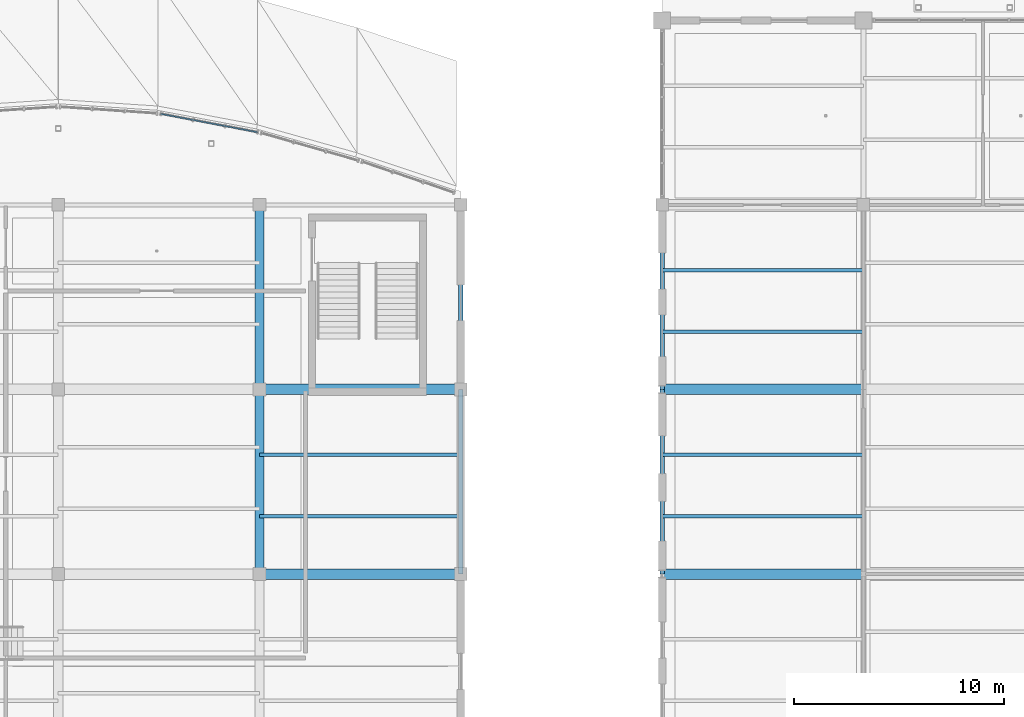
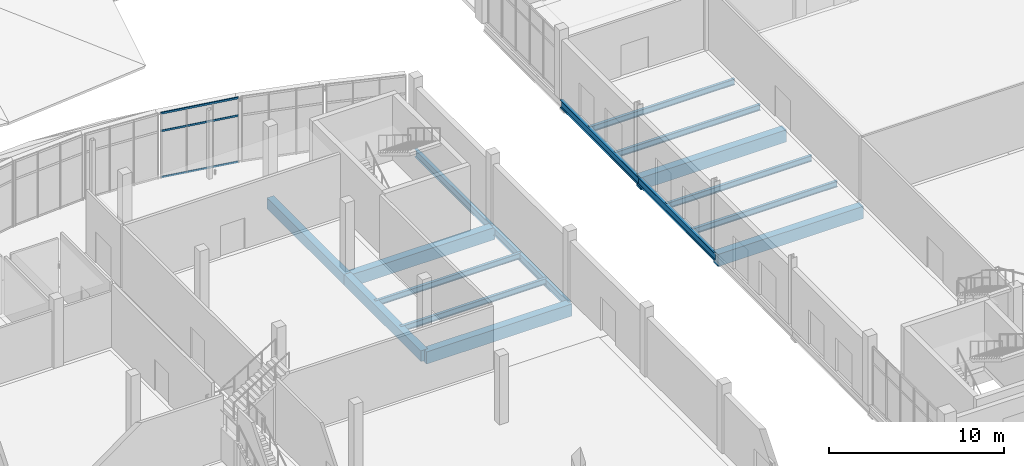
# One storey, part 34 of 116: 16 beams, 3 members, 1 element without a shape of its own.
"""IFC4 building model written with IfcOpenShell, lengths in metres."""

from ifc_helpers import new_model, si_unit, direction, frame, origin, origin_2d, place, context, subcontext, project, spatial, rectangle, hollow_rectangle, i_section, extrude, material, layer, layer_set, material_profile, profile_set, type_object, element, aggregate, save


model = new_model("IFC4")

# Units and contexts
model_context = context("Model", 3, precision=1e-05, world=origin(), true_north=direction((0.0, 1.0)))
body_context = subcontext(model_context, "Body", "Model", "MODEL_VIEW")
ifc_project = project(units=[si_unit("LENGTHUNIT", "METRE"), si_unit("AREAUNIT", "SQUARE_METRE"), si_unit("VOLUMEUNIT", "CUBIC_METRE"), si_unit("PLANEANGLEUNIT", "RADIAN"), si_unit("MASSUNIT", "GRAM", prefix="KILO")], contexts=[model_context])

# Site, building, storey
site_placement = place(None, origin())
site = spatial("IfcSite", under=ifc_project, at=site_placement, CompositionType="ELEMENT")
building_placement = place(site_placement, origin())
building = spatial("IfcBuilding", under=site, at=building_placement, Name="Chalmorin Arch Market", CompositionType="ELEMENT")
storey_placement = place(building_placement, origin())
storey = spatial("IfcBuildingStorey", under=building, at=storey_placement, Name="L00", CompositionType="ELEMENT", Elevation=0.0)

# Beams
ifc_material_1 = material(Name="Concrete C40/50", Category="concrete")
ifc_material_profile_1 = material_profile(ifc_material_1, rectangle(XDim=0.449951171875, YDim=0.75, at=origin_2d()), Name="RC450X750")
ifc_profile_set_1 = profile_set([ifc_material_profile_1], Name="Concrete C40/50")
beam_type_1 = type_object("IfcBeamType", Name="BasementConcreteGirder-450x750", PredefinedType="BEAM", material=ifc_profile_set_1)
for number, where, z_axis, x_axis, name in (
    (1, (28.800048828125, 32.39990234375, -0.72705078125), (0.0, 1.0, 0.0), (-1.0, 0.0, 0.0), "BG-RC2-0236"),
    (2, (28.800048828125, 41.199951171875, -0.72705078125), (0.0, 1.0, 0.0), (-1.0, 0.0, 0.0), "BG-RC2-0238"),
):
    element("IfcBeam", number, at=place(storey_placement, frame(where, z_axis=z_axis, x_axis=x_axis)), inside=storey, type_object=beam_type_1, Name=name, PredefinedType="BEAM", context=body_context, shape_type="SweptSolid", body=[
        extrude(rectangle(XDim=0.449951171875, YDim=0.75, at=origin_2d()), origin(), (0.0, 0.0, 1.0), 8.800048828125),
    ])

# Curtain wall, members
ifc_material_2 = material(Name="Aluminium 6063-T6", Category="aluminium")
ifc_layer = layer(ifc_material_2, 0.159912109375)
ifc_layer_set = layer_set([ifc_layer], Name="Aluminium 6063-T6")
curtain_wall_type = type_object("IfcCurtainWallType", Name="RiverfrontStorefrontCurtainWall-CW2-4710x4520", PredefinedType="NOTDEFINED", material=ifc_layer_set)
curtain_wall_placement = place(storey_placement, origin())
curtain_wall = element("IfcCurtainWall", 3, at=curtain_wall_placement, inside=storey, type_object=curtain_wall_type, Name="CW-02-084", PredefinedType="NOTDEFINED")
ifc_material_profile_2 = material_profile(ifc_material_2, hollow_rectangle(XDim=0.06494140625, YDim=0.1298828125, WallThickness=0.00390625, at=origin_2d()), Name="ALU65X130X4")
ifc_profile_set_2 = profile_set([ifc_material_profile_2], Name="Aluminium 6063-T6")
member_type = type_object("IfcMemberType", Name="CurtainWallTransom-65x130", PredefinedType="USERDEFINED", material=ifc_profile_set_2)
member_1_placement = place(storey_placement, frame((24.08837890625, 54.34326171875, 0.034912109375), z_axis=(0.982500768679, -0.186258528783, 0.0), x_axis=(0.186258528783, 0.982500768679, 0.0)))
member_1 = element("IfcMember", 4, at=member_1_placement, type_object=member_type, Name="TR-084-01", ObjectType="TRANSOM", PredefinedType="USERDEFINED", context=body_context, shape_type="SweptSolid", body=[
    extrude(hollow_rectangle(XDim=0.06494140625, YDim=0.1298828125, WallThickness=0.00390625, at=origin_2d()), origin(), (0.0, 0.0, 1.0), 4.70556640625),
])
member_2_placement = place(storey_placement, frame((24.08837890625, 54.34326171875, 3.25439453125), z_axis=(0.982500768679, -0.186258528783, 0.0), x_axis=(0.186258528783, 0.982500768679, 0.0)))
member_2 = element("IfcMember", 5, at=member_2_placement, type_object=member_type, Name="TR-084-02", ObjectType="TRANSOM", PredefinedType="USERDEFINED", context=body_context, shape_type="SweptSolid", body=[
    extrude(hollow_rectangle(XDim=0.06494140625, YDim=0.1298828125, WallThickness=0.00390625, at=origin_2d()), origin(), (0.0, 0.0, 1.0), 4.70556640625),
])
member_3_placement = place(storey_placement, frame((24.08837890625, 54.34326171875, 4.485107421875), z_axis=(0.982500768679, -0.186258528783, 0.0), x_axis=(0.186258528783, 0.982500768679, 0.0)))
member_3 = element("IfcMember", 6, at=member_3_placement, type_object=member_type, Name="TR-084-03", ObjectType="TRANSOM", PredefinedType="USERDEFINED", context=body_context, shape_type="SweptSolid", body=[
    extrude(hollow_rectangle(XDim=0.06494140625, YDim=0.1298828125, WallThickness=0.00390625, at=origin_2d()), origin(), (0.0, 0.0, 1.0), 4.70556640625),
])
aggregate(curtain_wall, [member_1, member_2, member_3])

# Beams
ifc_material_3 = material(Name="Steel A992 Grade 50", Category="steel")
ifc_material_profile_3 = material_profile(ifc_material_3, i_section(OverallWidth=0.208984375, OverallDepth=0.532958984375, WebThickness=0.01025390625, FlangeThickness=0.015625, FilletRadius=0.02197265625, at=origin_2d()), Name="W21X62")
ifc_profile_set_3 = profile_set([ifc_material_profile_3], Name="Steel A992 Grade 50")
beam_type_2 = type_object("IfcBeamType", Name="PerimeterSpandrelBeam-W21X62", PredefinedType="SPANDREL", material=ifc_profile_set_3)
for number, where, z_axis, x_axis, name in (
    (7, (48.0, 32.39990234375, -0.548583984375), (0.0, 1.0, 0.0), (-1.0, 0.0, 0.0), "SP-W21-0012"),
    (8, (48.0, 41.199951171875, -0.548583984375), (0.0, 1.0, 0.0), (-1.0, 0.0, 0.0), "SP-W21-0015"),
    (9, (38.39990234375, 32.39990234375, -0.618408203125), (0.0, 1.0, 0.0), (-1.0, 0.0, 0.0), "SP-W21-0247"),
    (10, (38.39990234375, 41.199951171875, -0.618408203125), (0.0, 1.0, 0.0), (-1.0, 0.0, 0.0), "SP-W21-0249"),
):
    element("IfcBeam", number, at=place(storey_placement, frame(where, z_axis=z_axis, x_axis=x_axis)), inside=storey, type_object=beam_type_2, Name=name, PredefinedType="SPANDREL", context=body_context, shape_type="SweptSolid", body=[
        extrude(i_section(OverallWidth=0.208984375, OverallDepth=0.532958984375, WebThickness=0.01025390625, FlangeThickness=0.015625, FilletRadius=0.02197265625, at=origin_2d()), origin(), (0.0, 0.0, 1.0), 8.800048828125),
    ])
ifc_material_profile_4 = material_profile(ifc_material_1, rectangle(XDim=0.5, YDim=0.85009765625, at=origin_2d()), Name="RC500X850")
ifc_profile_set_4 = profile_set([ifc_material_profile_4], Name="Concrete C40/50")
beam_type_3 = type_object("IfcBeamType", Name="PlinthConcreteGirder-500x850", PredefinedType="BEAM", material=ifc_profile_set_4)
for number, where, z_axis, x_axis, name in (
    (11, (48.0, 32.39990234375, -0.70703125), (1.0, 0.0, 0.0), (0.0, 1.0, 0.0), "BG-RC1-0008"),
    (12, (48.0, 41.199951171875, -0.70703125), (1.0, 0.0, 0.0), (0.0, 1.0, 0.0), "BG-RC1-0011"),
):
    element("IfcBeam", number, at=place(storey_placement, frame(where, z_axis=z_axis, x_axis=x_axis)), inside=storey, type_object=beam_type_3, Name=name, PredefinedType="BEAM", context=body_context, shape_type="SweptSolid", body=[
        extrude(rectangle(XDim=0.5, YDim=0.85009765625, at=origin_2d()), origin(), (0.0, 0.0, 1.0), 9.60009765625),
    ])
for number, where, z_axis, x_axis, name in (
    (13, (28.800048828125, 32.39990234375, -0.777099609375), (1.0, 0.0, 0.0), (0.0, 1.0, 0.0), "BG-RC1-0244"),
    (14, (28.800048828125, 41.199951171875, -0.777099609375), (1.0, 0.0, 0.0), (0.0, 1.0, 0.0), "BG-RC1-0246"),
):
    element("IfcBeam", number, at=place(storey_placement, frame(where, z_axis=z_axis, x_axis=x_axis)), inside=storey, type_object=beam_type_3, Name=name, PredefinedType="BEAM", context=body_context, shape_type="SweptSolid", body=[
        extrude(rectangle(XDim=0.5, YDim=0.85009765625, at=origin_2d()), origin(), (0.0, 0.0, 1.0), 9.599853515625),
    ])
ifc_material_profile_5 = material_profile(ifc_material_3, i_section(OverallWidth=0.177978515625, OverallDepth=0.403076171875, WebThickness=0.007568359375, FlangeThickness=0.010986328125, FilletRadius=0.01806640625, at=origin_2d()), Name="W16X36")
ifc_profile_set_5 = profile_set([ifc_material_profile_5], Name="Steel A992 Grade 50")
beam_type_4 = type_object("IfcBeamType", Name="SecondaryFloorJoist-W16X36", PredefinedType="JOIST", material=ifc_profile_set_5)
for number, where, z_axis, x_axis, name in (
    (15, (28.800048828125, 35.1533203125, -0.553466796875), (1.0, 0.0, 0.0), (0.0, 1.0, 0.0), "BJ-W16B-0284"),
    (16, (28.800048828125, 38.086669921875, -0.553466796875), (1.0, 0.0, 0.0), (0.0, 1.0, 0.0), "BJ-W16B-0285"),
):
    element("IfcBeam", number, at=place(storey_placement, frame(where, z_axis=z_axis, x_axis=x_axis)), inside=storey, type_object=beam_type_4, Name=name, PredefinedType="JOIST", context=body_context, shape_type="SweptSolid", body=[
        extrude(i_section(OverallWidth=0.177978515625, OverallDepth=0.403076171875, WebThickness=0.007568359375, FlangeThickness=0.010986328125, FilletRadius=0.01806640625, at=origin_2d()), origin(), (0.0, 0.0, 1.0), 9.599853515625),
    ])
ifc_material_profile_6 = material_profile(ifc_material_3, i_section(OverallWidth=0.178955078125, OverallDepth=0.409912109375, WebThickness=0.0087890625, FlangeThickness=0.014404296875, FilletRadius=0.01806640625, at=origin_2d()), Name="W16X45")
ifc_profile_set_6 = profile_set([ifc_material_profile_6], Name="Steel A992 Grade 50")
beam_type_5 = type_object("IfcBeamType", Name="SecondaryFloorJoist-W16X45", PredefinedType="JOIST", material=ifc_profile_set_6)
for number, where, z_axis, x_axis, name in (
    (17, (48.0, 35.1533203125, -0.487060546875), (1.0, 0.0, 0.0), (0.0, 1.0, 0.0), "BJ-W16A-0115"),
    (18, (48.0, 38.086669921875, -0.487060546875), (1.0, 0.0, 0.0), (0.0, 1.0, 0.0), "BJ-W16A-0116"),
    (19, (48.0, 43.953369140625, -0.487060546875), (1.0, 0.0, 0.0), (0.0, 1.0, 0.0), "BJ-W16A-0117"),
    (20, (48.0, 46.88671875, -0.487060546875), (1.0, 0.0, 0.0), (0.0, 1.0, 0.0), "BJ-W16A-0118"),
):
    element("IfcBeam", number, at=place(storey_placement, frame(where, z_axis=z_axis, x_axis=x_axis)), inside=storey, type_object=beam_type_5, Name=name, PredefinedType="JOIST", context=body_context, shape_type="SweptSolid", body=[
        extrude(i_section(OverallWidth=0.178955078125, OverallDepth=0.409912109375, WebThickness=0.0087890625, FlangeThickness=0.014404296875, FilletRadius=0.01806640625, at=origin_2d()), origin(), (0.0, 0.0, 1.0), 9.60009765625),
    ])

save(model, "model.ifc")
